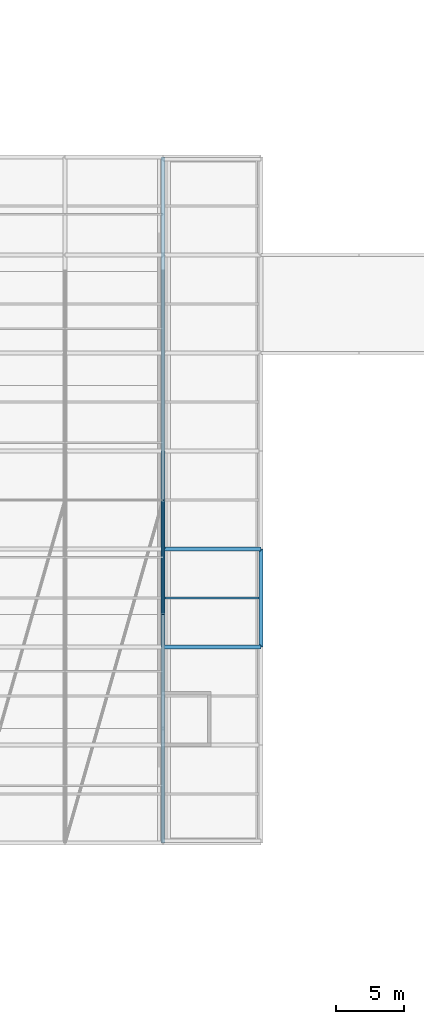
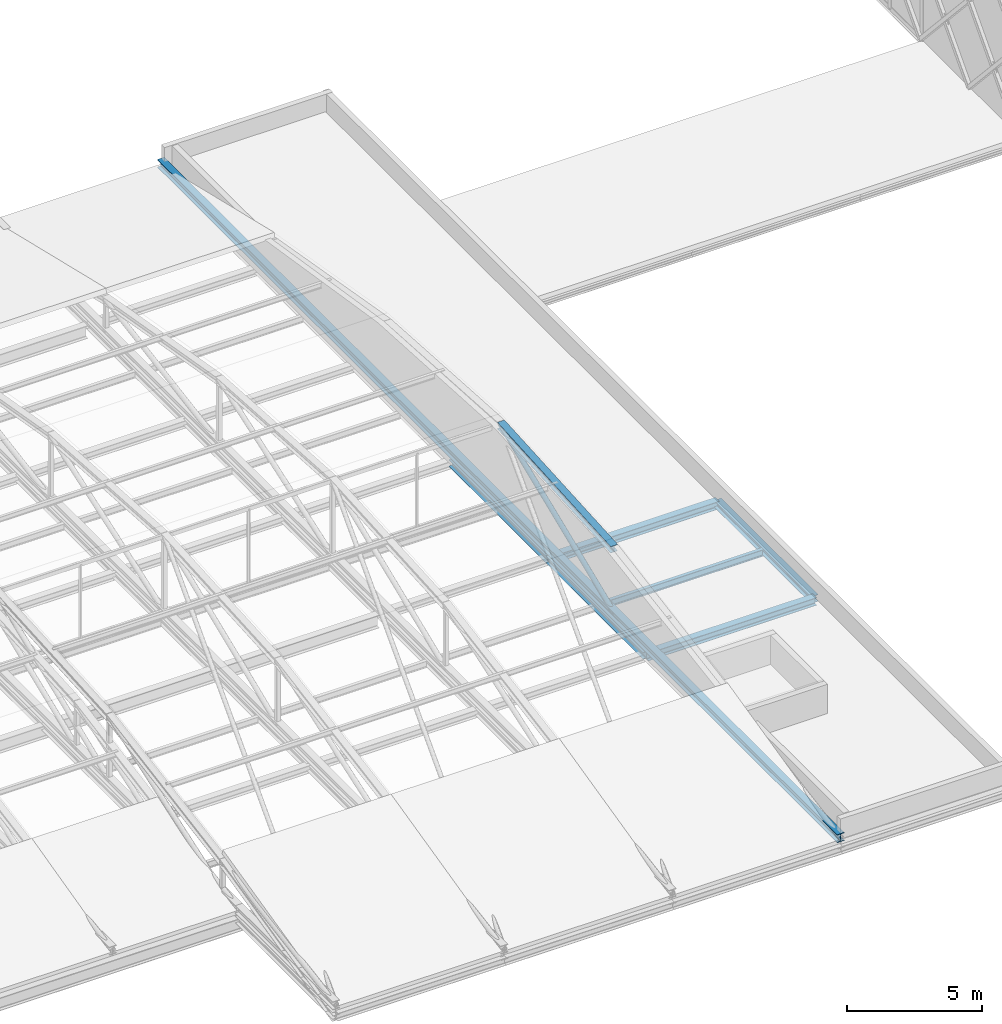
# One storey, part 38 of 76: 6 beams, 3 members.
"""IFC4 building model written with IfcOpenShell, lengths in metres."""

from ifc_helpers import new_model, si_unit, direction, frame, origin, origin_2d, place, context, subcontext, project, spatial, hollow_circle, i_section, extrude, material, material_profile, profile_set, type_object, element, save


model = new_model("IFC4")

# Units and contexts
model_context = context("Model", 3, precision=1e-05, world=origin(), true_north=direction((0.0, 1.0)))
body_context = subcontext(model_context, "Body", "Model", "MODEL_VIEW")
ifc_project = project(units=[si_unit("LENGTHUNIT", "METRE"), si_unit("AREAUNIT", "SQUARE_METRE"), si_unit("VOLUMEUNIT", "CUBIC_METRE"), si_unit("PLANEANGLEUNIT", "RADIAN"), si_unit("MASSUNIT", "GRAM", prefix="KILO")], contexts=[model_context])

# Site, building, storey
site_placement = place(None, origin())
site = spatial("IfcSite", under=ifc_project, at=site_placement, CompositionType="ELEMENT")
building_placement = place(site_placement, origin())
building = spatial("IfcBuilding", under=site, at=building_placement, Name="Zlatovets Crest Museum", CompositionType="ELEMENT")
storey_placement = place(building_placement, frame((0.0, 0.0, 17.10009765625)))
storey = spatial("IfcBuildingStorey", under=building, at=storey_placement, Name="L04", CompositionType="ELEMENT", Elevation=17.10009765625)

# Beams
ifc_material = material(Name="Structural steel S355J2", Category="steel")
ifc_material_profile_1 = material_profile(ifc_material, i_section(OverallWidth=0.300048828125, OverallDepth=0.35009765625, WebThickness=0.010009765625, FlangeThickness=0.017578125, FilletRadius=0.027099609375, at=origin_2d()), Name="HEA 360")
ifc_profile_set_1 = profile_set([ifc_material_profile_1], Name="Structural steel S355J2")
beam_type_1 = type_object("IfcBeamType", Name="Beam_B-03", PredefinedType="BEAM", material=ifc_profile_set_1)
for number, where, z_axis, x_axis, name in (
    (1, (28.800048828125, 64.800048828125, -0.39501953125), (1.0, 0.0, 0.0), (0.0, 1.0, 0.0), "V4 L04 Primary Girder B-03"),
    (2, (28.800048828125, 72.0, -0.39501953125), (1.0, 0.0, 0.0), (0.0, 1.0, 0.0), "V4 L04 Primary Girder B-03"),
):
    element("IfcBeam", number, at=place(storey_placement, frame(where, z_axis=z_axis, x_axis=x_axis)), inside=storey, type_object=beam_type_1, Name=name, PredefinedType="BEAM", context=body_context, shape_type="SweptSolid", body=[
        extrude(i_section(OverallWidth=0.300048828125, OverallDepth=0.35009765625, WebThickness=0.010009765625, FlangeThickness=0.017578125, FilletRadius=0.027099609375, at=origin_2d()), origin(), (0.0, 0.0, 1.0), 7.199951171875),
    ])
ifc_material_profile_2 = material_profile(ifc_material, i_section(OverallWidth=0.300048828125, OverallDepth=0.31005859375, WebThickness=0.009033203125, FlangeThickness=0.015380859375, FilletRadius=0.027099609375, at=origin_2d()), Name="HEA 320")
ifc_profile_set_2 = profile_set([ifc_material_profile_2], Name="Structural steel S355J2")
beam_type_2 = type_object("IfcBeamType", Name="Beam_B-04", PredefinedType="BEAM", material=ifc_profile_set_2)
for number, where, z_axis, x_axis, name in (
    (3, (28.800048828125, 64.800048828125, -0.375), (0.0, 1.0, 0.0), (-1.0, 0.0, 0.0), "V4 L04 Grid Beam B-04"),
    (4, (28.800048828125, 72.0, -0.375), (0.0, 1.0, 0.0), (-1.0, 0.0, 0.0), "V4 L04 Grid Beam B-04"),
    (5, (36.0, 64.800048828125, -0.375), (0.0, 1.0, 0.0), (-1.0, 0.0, 0.0), "V4 L04 Grid Beam B-04"),
):
    element("IfcBeam", number, at=place(storey_placement, frame(where, z_axis=z_axis, x_axis=x_axis)), inside=storey, type_object=beam_type_2, Name=name, PredefinedType="BEAM", context=body_context, shape_type="SweptSolid", body=[
        extrude(i_section(OverallWidth=0.300048828125, OverallDepth=0.31005859375, WebThickness=0.009033203125, FlangeThickness=0.015380859375, FilletRadius=0.027099609375, at=origin_2d()), origin(), (0.0, 0.0, 1.0), 7.199951171875),
    ])
ifc_material_profile_3 = material_profile(ifc_material, i_section(OverallWidth=0.14990234375, OverallDepth=0.300048828125, WebThickness=0.007080078125, FlangeThickness=0.0107421875, FilletRadius=0.014892578125, at=origin_2d()), Name="IPE 300")
ifc_profile_set_3 = profile_set([ifc_material_profile_3], Name="Structural steel S355J2")
beam_type_3 = type_object("IfcBeamType", Name="Beam_J-02", PredefinedType="JOIST", material=ifc_profile_set_3)
beam_placement = place(storey_placement, frame((28.949951171875, 68.39990234375, -0.3701171875), z_axis=(1.0, 0.0, 0.0), x_axis=(0.0, 1.0, 0.0)))
element("IfcBeam", 6, at=beam_placement, inside=storey, type_object=beam_type_3, Name="V4 L04 Composite Joist J-02", PredefinedType="JOIST", context=body_context, shape_type="SweptSolid", body=[
    extrude(i_section(OverallWidth=0.14990234375, OverallDepth=0.300048828125, WebThickness=0.007080078125, FlangeThickness=0.0107421875, FilletRadius=0.014892578125, at=origin_2d()), origin(), (0.0, 0.0, 1.0), 6.900146484375),
])

# Members
ifc_material_profile_4 = material_profile(ifc_material, i_section(OverallWidth=0.300048828125, OverallDepth=0.360107421875, WebThickness=0.012451171875, FlangeThickness=0.0224609375, FilletRadius=0.027099609375, at=origin_2d()), Name="HEB 360")
ifc_profile_set_4 = profile_set([ifc_material_profile_4], Name="Structural steel S355J2")
member_type_1 = type_object("IfcMemberType", Name="Member_TM-01", PredefinedType="CHORD", material=ifc_profile_set_4)
member_1_placement = place(storey_placement, frame((28.800048828125, 50.39990234375, 0.079833984375), z_axis=(0.0, 1.0, 0.0), x_axis=(-1.0, 0.0, 0.0)))
element("IfcMember", 7, at=member_1_placement, inside=storey, type_object=member_type_1, Name="V4 Art Nouveau Barrel Vault Tie Chord", PredefinedType="CHORD", context=body_context, shape_type="SweptSolid", body=[
    extrude(i_section(OverallWidth=0.300048828125, OverallDepth=0.360107421875, WebThickness=0.012451171875, FlangeThickness=0.0224609375, FilletRadius=0.027099609375, at=origin_2d()), origin(), (0.0, 0.0, 1.0), 50.400146484375),
])
ifc_material_profile_5 = material_profile(ifc_material, i_section(OverallWidth=0.300048828125, OverallDepth=0.31005859375, WebThickness=0.009033203125, FlangeThickness=0.015380859375, FilletRadius=0.027099609375, at=origin_2d()), Name="HEA 320")
ifc_profile_set_5 = profile_set([ifc_material_profile_5], Name="Structural steel S355J2")
member_type_2 = type_object("IfcMemberType", Name="Member_TM-02", PredefinedType="RAFTER", material=ifc_profile_set_5)
member_2_placement = place(storey_placement, frame((28.800048828125, 67.199951171875, 2.964111328125), z_axis=(0.0, 0.997971279214, 0.063665735399), x_axis=(-1.0, 0.0, 0.0)))
element("IfcMember", 8, at=member_2_placement, inside=storey, type_object=member_type_2, Name="V4 Art Nouveau Curved Vault Rib", PredefinedType="RAFTER", context=body_context, shape_type="SweptSolid", body=[
    extrude(i_section(OverallWidth=0.300048828125, OverallDepth=0.31005859375, WebThickness=0.009033203125, FlangeThickness=0.015380859375, FilletRadius=0.027099609375, at=origin_2d()), origin(), (0.0, 0.0, 1.0), 8.417236328125),
])
ifc_material_profile_6 = material_profile(ifc_material, hollow_circle(Radius=0.109619140625, WallThickness=0.010009765625, at=origin_2d()), Name="CHS 219.1x10.0")
ifc_profile_set_6 = profile_set([ifc_material_profile_6], Name="Structural steel S355J2")
member_type_3 = type_object("IfcMemberType", Name="Member_TM-05", PredefinedType="BRACE", material=ifc_profile_set_6)
member_3_placement = place(storey_placement, frame((28.800048828125, 67.199951171875, 0.079833984375), z_axis=(0.0, 0.926173852742, 0.377096797252), x_axis=(-1.0, 0.0, 0.0)))
element("IfcMember", 9, at=member_3_placement, inside=storey, type_object=member_type_3, Name="V4 Barrel Vault Web Diagonal", PredefinedType="BRACE", context=body_context, shape_type="SweptSolid", body=[
    extrude(hollow_circle(Radius=0.109619140625, WallThickness=0.010009765625, at=origin_2d()), origin(), (0.0, 0.0, 1.0), 9.06982421875),
])

save(model, "model.ifc")
